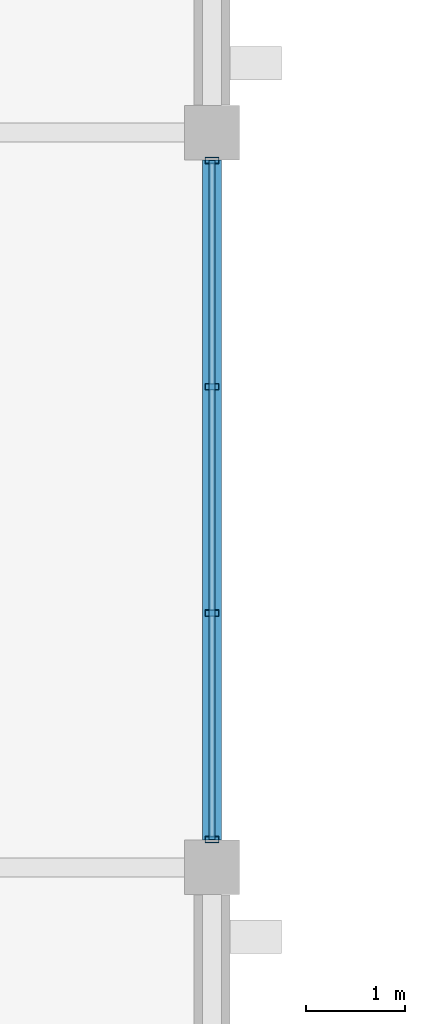
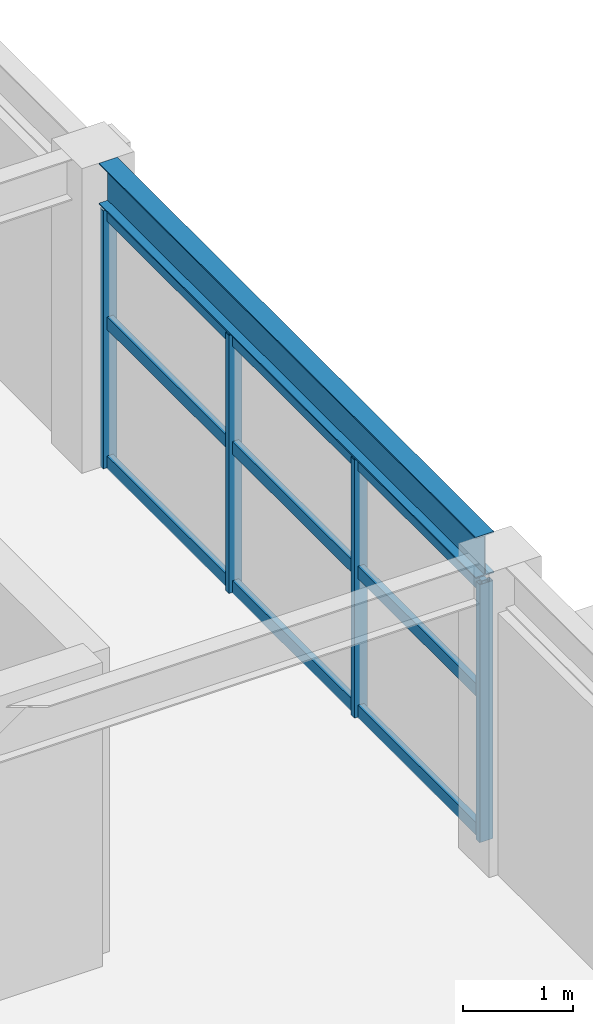
# One storey, part 6 of 93: 7 members, 1 beam, 1 element without a shape of its own.
"""IFC4 building model written with IfcOpenShell, lengths in metres."""

from ifc_helpers import new_model, si_unit, direction, frame, origin, origin_2d, place, context, subcontext, project, spatial, hollow_rectangle, i_section, extrude, material, material_profile, profile_set, type_object, element, aggregate, save


model = new_model("IFC4")

# Units and contexts
model_context = context("Model", 3, precision=1e-05, world=origin(), true_north=direction((0.0, 1.0)))
body_context = subcontext(model_context, "Body", "Model", "MODEL_VIEW")
ifc_project = project(units=[si_unit("LENGTHUNIT", "METRE"), si_unit("AREAUNIT", "SQUARE_METRE"), si_unit("VOLUMEUNIT", "CUBIC_METRE"), si_unit("PLANEANGLEUNIT", "RADIAN"), si_unit("MASSUNIT", "GRAM", prefix="KILO")], contexts=[model_context])

# Site, building, storey
site_placement = place(None, origin())
site = spatial("IfcSite", under=ifc_project, at=site_placement, CompositionType="ELEMENT")
building_placement = place(site_placement, origin())
building = spatial("IfcBuilding", under=site, at=building_placement, Name="Cimatlan Art Gallery", CompositionType="ELEMENT")
storey_placement = place(building_placement, frame((0.0, 0.0, 13.800048828125)))
storey = spatial("IfcBuildingStorey", under=building, at=storey_placement, Name="L03", CompositionType="ELEMENT", Elevation=13.800048828125)

# Beam
ifc_material_1 = material(Name="Steel ASTM A992 Grade 50", Category="steel")
ifc_material_profile_1 = material_profile(ifc_material_1, i_section(OverallWidth=0.19091796875, OverallDepth=0.45703125, WebThickness=0.009033203125, FlangeThickness=0.014404296875, at=origin_2d()), Name="W18X50")
ifc_profile_set_1 = profile_set([ifc_material_profile_1], Name="Steel ASTM A992 Grade 50")
beam_type = type_object("IfcBeamType", Name="BM-STL-W18X50", PredefinedType="BEAM", material=ifc_profile_set_1)
beam_placement = place(storey_placement, frame((18.199951171875, 46.375, 3.1513671875), z_axis=(0.0, 1.0, 0.0), x_axis=(-1.0, 0.0, 0.0)))
element("IfcBeam", 1, at=beam_placement, inside=storey, type_object=beam_type, Name="BM-Y-L03-02-06", PredefinedType="BEAM", context=body_context, shape_type="SweptSolid", body=[
    extrude(i_section(OverallWidth=0.19091796875, OverallDepth=0.45703125, WebThickness=0.009033203125, FlangeThickness=0.014404296875, at=origin_2d()), origin(), (0.0, 0.0, 1.0), 6.85009765625),
])

# Curtain wall, members
ifc_material_2 = material(Name="Anodised bronze unitised curtain wall")
curtain_wall_type = type_object("IfcCurtainWallType", Name="CW-V-06842X02863-B3", PredefinedType="NOTDEFINED", material=ifc_material_2)
curtain_wall_placement = place(storey_placement, origin())
curtain_wall = element("IfcCurtainWall", 2, at=curtain_wall_placement, inside=storey, type_object=curtain_wall_type, Name="CW-L03-01-06-E", PredefinedType="NOTDEFINED")
ifc_material_3 = material(Name="Anodised bronze aluminium 6063-T6", Category="aluminium")
ifc_material_profile_2 = material_profile(ifc_material_3, hollow_rectangle(XDim=0.06494140625, YDim=0.139892578125, WallThickness=0.00390625, at=origin_2d()), Name="ALU65X140X4")
ifc_profile_set_2 = profile_set([ifc_material_profile_2], Name="Anodised bronze aluminium 6063-T6")
member_type_1 = type_object("IfcMemberType", Name="CW-MUL-140", PredefinedType="MULLION", material=ifc_profile_set_2)
member_1_placement = place(storey_placement, frame((18.199951171875, 53.220947265625, 0.0), z_axis=(0.0, 0.0, 1.0), x_axis=(0.0, 1.0, 0.0)))
member_1 = element("IfcMember", 3, at=member_1_placement, type_object=member_type_1, Name="CW-L03-01-06-E-M1", PredefinedType="MULLION", context=body_context, shape_type="SweptSolid", body=[
    extrude(hollow_rectangle(XDim=0.06494140625, YDim=0.139892578125, WallThickness=0.00390625, at=origin_2d()), origin(), (0.0, 0.0, 1.0), 2.863037109375),
])
member_2_placement = place(storey_placement, frame((18.199951171875, 50.9404296875, 0.0), z_axis=(0.0, 0.0, 1.0), x_axis=(0.0, 1.0, 0.0)))
member_2 = element("IfcMember", 4, at=member_2_placement, type_object=member_type_1, Name="CW-L03-01-06-E-M2", PredefinedType="MULLION", context=body_context, shape_type="SweptSolid", body=[
    extrude(hollow_rectangle(XDim=0.06494140625, YDim=0.139892578125, WallThickness=0.00390625, at=origin_2d()), origin(), (0.0, 0.0, 1.0), 2.863037109375),
])
member_3_placement = place(storey_placement, frame((18.199951171875, 48.65966796875, 0.0), z_axis=(0.0, 0.0, 1.0), x_axis=(0.0, 1.0, 0.0)))
member_3 = element("IfcMember", 5, at=member_3_placement, type_object=member_type_1, Name="CW-L03-01-06-E-M3", PredefinedType="MULLION", context=body_context, shape_type="SweptSolid", body=[
    extrude(hollow_rectangle(XDim=0.06494140625, YDim=0.139892578125, WallThickness=0.00390625, at=origin_2d()), origin(), (0.0, 0.0, 1.0), 2.863037109375),
])
member_4_placement = place(storey_placement, frame((18.199951171875, 46.37890625, 0.0), z_axis=(0.0, 0.0, 1.0), x_axis=(0.0, 1.0, 0.0)))
member_4 = element("IfcMember", 6, at=member_4_placement, type_object=member_type_1, Name="CW-L03-01-06-E-M4", PredefinedType="MULLION", context=body_context, shape_type="SweptSolid", body=[
    extrude(hollow_rectangle(XDim=0.06494140625, YDim=0.139892578125, WallThickness=0.00390625, at=origin_2d()), origin(), (0.0, 0.0, 1.0), 2.863037109375),
])
ifc_material_profile_3 = material_profile(ifc_material_3, hollow_rectangle(XDim=0.06494140625, YDim=0.139892578125, WallThickness=0.00390625, at=origin_2d()), Name="ALU65X140X4")
ifc_profile_set_3 = profile_set([ifc_material_profile_3], Name="Anodised bronze aluminium 6063-T6")
member_type_2 = type_object("IfcMemberType", Name="CW-TRN-140", PredefinedType="USERDEFINED", material=ifc_profile_set_3)
member_5_placement = place(storey_placement, frame((18.199951171875, 53.220947265625, 0.06005859375), z_axis=(0.0, -1.0, 0.0), x_axis=(1.0, 0.0, 0.0)))
member_5 = element("IfcMember", 7, at=member_5_placement, type_object=member_type_2, Name="CW-L03-01-06-E-T1", ObjectType="TRANSOM", PredefinedType="USERDEFINED", context=body_context, shape_type="SweptSolid", body=[
    extrude(hollow_rectangle(XDim=0.06494140625, YDim=0.139892578125, WallThickness=0.00390625, at=origin_2d()), origin(), (0.0, 0.0, 1.0), 6.842041015625),
])
member_6_placement = place(storey_placement, frame((18.199951171875, 53.220947265625, 1.603271484375), z_axis=(0.0, -1.0, 0.0), x_axis=(1.0, 0.0, 0.0)))
member_6 = element("IfcMember", 8, at=member_6_placement, type_object=member_type_2, Name="CW-L03-01-06-E-T2", ObjectType="TRANSOM", PredefinedType="USERDEFINED", context=body_context, shape_type="SweptSolid", body=[
    extrude(hollow_rectangle(XDim=0.06494140625, YDim=0.139892578125, WallThickness=0.00390625, at=origin_2d()), origin(), (0.0, 0.0, 1.0), 6.842041015625),
])
member_7_placement = place(storey_placement, frame((18.199951171875, 53.220947265625, 2.802978515625), z_axis=(0.0, -1.0, 0.0), x_axis=(1.0, 0.0, 0.0)))
member_7 = element("IfcMember", 9, at=member_7_placement, type_object=member_type_2, Name="CW-L03-01-06-E-T3", ObjectType="TRANSOM", PredefinedType="USERDEFINED", context=body_context, shape_type="SweptSolid", body=[
    extrude(hollow_rectangle(XDim=0.06494140625, YDim=0.139892578125, WallThickness=0.00390625, at=origin_2d()), origin(), (0.0, 0.0, 1.0), 6.842041015625),
])
aggregate(curtain_wall, [member_1, member_2, member_3, member_4, member_5, member_6, member_7])

save(model, "model.ifc")
